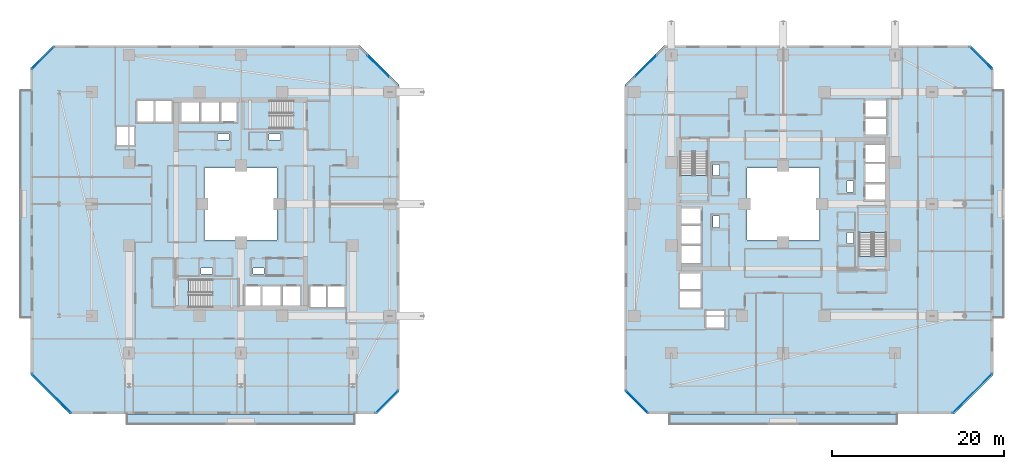
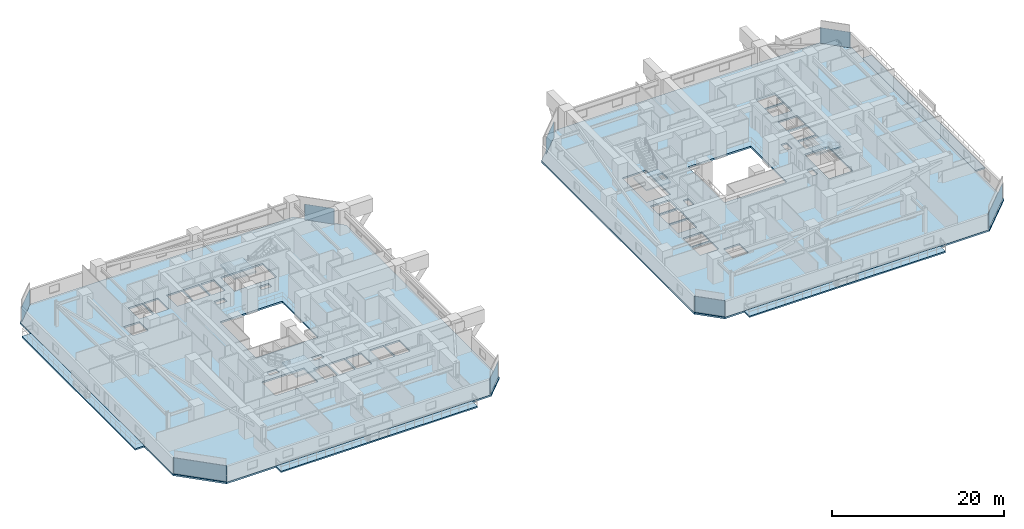
# One storey, part 18 of 36: 10 slabs, 8 plates, 12 elements without a shape of their own.
"""IFC4 building model written with IfcOpenShell, lengths in metres."""

from ifc_helpers import new_model, si_unit, direction, frame, origin, origin_2d, place, context, subcontext, project, spatial, polyline, rectangle, outline, extrude, material, layer, layer_set, type_object, element, aggregate, save


model = new_model("IFC4")

# Units and contexts
model_context = context("Model", 3, precision=1e-05, world=origin(), true_north=direction((0.0, 1.0)))
body_context = subcontext(model_context, "Body", "Model", "MODEL_VIEW")
ifc_project = project(units=[si_unit("LENGTHUNIT", "METRE"), si_unit("AREAUNIT", "SQUARE_METRE"), si_unit("VOLUMEUNIT", "CUBIC_METRE"), si_unit("PLANEANGLEUNIT", "RADIAN"), si_unit("MASSUNIT", "GRAM", prefix="KILO")], contexts=[model_context])

# Site, building, storey
site_placement = place(None, origin())
site = spatial("IfcSite", under=ifc_project, at=site_placement, CompositionType="ELEMENT")
building_placement = place(site_placement, origin())
building = spatial("IfcBuilding", under=site, at=building_placement, Name="Thornwick Lancets Civic Towers", CompositionType="ELEMENT")
storey_placement = place(building_placement, frame((0.0, 0.0, 45.89990234375)))
storey = spatial("IfcBuildingStorey", under=building, at=storey_placement, Name="L11", CompositionType="ELEMENT", Elevation=45.89990234375)

# Curtain wall, plate
ifc_material_1 = material(Name="Low-zone chamfered-corner unitised glass curtain wall", Category="glass")
curtain_wall_type = type_object("IfcCurtainWallType", Name="CW_SYS_03", PredefinedType="NOTDEFINED", material=ifc_material_1)
curtain_wall_1_placement = place(storey_placement, origin())
curtain_wall_1 = element("IfcCurtainWall", 1, at=curtain_wall_1_placement, inside=storey, type_object=curtain_wall_type, Name="L11 Curtain Wall CW-L11-A-E1", PredefinedType="NOTDEFINED")
ifc_material_2 = material(Name="Low-e double glazing clear glass", Category="glass")
ifc_layer_1 = layer(ifc_material_2, 0.035888671875, Name="Low-e double glazing clear glass")
ifc_layer_set_1 = layer_set([ifc_layer_1], Name="Low-e double glazing clear glass")
plate_type = type_object("IfcPlateType", Name="CW_PNL_GLASS", PredefinedType="CURTAIN_PANEL", material=ifc_layer_set_1)
plate_1_placement = place(storey_placement, frame((42.472900390625, 4.027099609375, 0.0), z_axis=(0.0, 0.0, 1.0), x_axis=(0.707106781187, 0.707106781187, 0.0)))
plate_1 = element("IfcPlate", 2, at=plate_1_placement, type_object=plate_type, Name="CW-L11-A-E1 Panel 0", PredefinedType="CURTAIN_PANEL", context=body_context, shape_type="SweptSolid", body=[
    extrude(rectangle(XDim=3.64990234375, YDim=0.035888671875, at=origin_2d()), origin(), (0.0, 0.0, 1.0), 2.219970703125),
])
aggregate(curtain_wall_1, [plate_1])

curtain_wall_2_placement = place(storey_placement, origin())
curtain_wall_2 = element("IfcCurtainWall", 3, at=curtain_wall_2_placement, inside=storey, type_object=curtain_wall_type, Name="L11 Curtain Wall CW-L11-A-E3", PredefinedType="NOTDEFINED")
plate_2_placement = place(storey_placement, frame((41.49169921875, 42.99169921875, 0.0), z_axis=(0.0, 0.0, 1.0), x_axis=(-0.707106781187, 0.707106781187, 0.0)))
plate_2 = element("IfcPlate", 4, at=plate_2_placement, type_object=plate_type, Name="CW-L11-A-E3 Panel 0", PredefinedType="CURTAIN_PANEL", context=body_context, shape_type="SweptSolid", body=[
    extrude(rectangle(XDim=3.5771484375, YDim=0.035888671875, at=origin_2d()), origin(), (0.0, 0.0, 1.0), 2.219970703125),
])
aggregate(curtain_wall_2, [plate_2])

curtain_wall_3_placement = place(storey_placement, origin())
curtain_wall_3 = element("IfcCurtainWall", 5, at=curtain_wall_3_placement, inside=storey, type_object=curtain_wall_type, Name="L11 Curtain Wall CW-L11-A-E5", PredefinedType="NOTDEFINED")
plate_3_placement = place(storey_placement, frame((2.527099609375, 43.972900390625, 0.0), z_axis=(0.0, 0.0, 1.0), x_axis=(-0.707106781187, -0.707106781187, 0.0)))
plate_3 = element("IfcPlate", 6, at=plate_3_placement, type_object=plate_type, Name="CW-L11-A-E5 Panel 0", PredefinedType="CURTAIN_PANEL", context=body_context, shape_type="SweptSolid", body=[
    extrude(rectangle(XDim=3.64990234375, YDim=0.035888671875, at=origin_2d()), origin(), (0.0, 0.0, 1.0), 2.219970703125),
])
aggregate(curtain_wall_3, [plate_3])

curtain_wall_4_placement = place(storey_placement, origin())
curtain_wall_4 = element("IfcCurtainWall", 7, at=curtain_wall_4_placement, inside=storey, type_object=curtain_wall_type, Name="L11 Curtain Wall CW-L11-A-E7", PredefinedType="NOTDEFINED")
plate_4_placement = place(storey_placement, frame((3.50830078125, 5.00830078125, 0.0), z_axis=(0.0, 0.0, 1.0), x_axis=(0.707106781187, -0.707106781187, 0.0)))
plate_4 = element("IfcPlate", 8, at=plate_4_placement, type_object=plate_type, Name="CW-L11-A-E7 Panel 0", PredefinedType="CURTAIN_PANEL", context=body_context, shape_type="SweptSolid", body=[
    extrude(rectangle(XDim=6.40771484375, YDim=0.035888671875, at=origin_2d()), origin(), (0.0, 0.0, 1.0), 2.219970703125),
])
aggregate(curtain_wall_4, [plate_4])

curtain_wall_5_placement = place(storey_placement, origin())
curtain_wall_5 = element("IfcCurtainWall", 9, at=curtain_wall_5_placement, inside=storey, type_object=curtain_wall_type, Name="L11 Curtain Wall CW-L11-B-E1", PredefinedType="NOTDEFINED")
plate_5_placement = place(storey_placement, frame((110.49169921875, 5.00830078125, 0.0), z_axis=(0.0, 0.0, 1.0), x_axis=(0.707106781187, 0.707106781187, 0.0)))
plate_5 = element("IfcPlate", 10, at=plate_5_placement, type_object=plate_type, Name="CW-L11-B-E1 Panel 0", PredefinedType="CURTAIN_PANEL", context=body_context, shape_type="SweptSolid", body=[
    extrude(rectangle(XDim=6.40771484375, YDim=0.035888671875, at=origin_2d()), origin(), (0.0, 0.0, 1.0), 2.219970703125),
])
aggregate(curtain_wall_5, [plate_5])

curtain_wall_6_placement = place(storey_placement, origin())
curtain_wall_6 = element("IfcCurtainWall", 11, at=curtain_wall_6_placement, inside=storey, type_object=curtain_wall_type, Name="L11 Curtain Wall CW-L11-B-E3", PredefinedType="NOTDEFINED")
plate_6_placement = place(storey_placement, frame((111.472900390625, 43.972900390625, 0.0), z_axis=(0.0, 0.0, 1.0), x_axis=(-0.707106781187, 0.707106781187, 0.0)))
plate_6 = element("IfcPlate", 12, at=plate_6_placement, type_object=plate_type, Name="CW-L11-B-E3 Panel 0", PredefinedType="CURTAIN_PANEL", context=body_context, shape_type="SweptSolid", body=[
    extrude(rectangle(XDim=3.64990234375, YDim=0.035888671875, at=origin_2d()), origin(), (0.0, 0.0, 1.0), 2.219970703125),
])
aggregate(curtain_wall_6, [plate_6])

curtain_wall_7_placement = place(storey_placement, origin())
curtain_wall_7 = element("IfcCurtainWall", 13, at=curtain_wall_7_placement, inside=storey, type_object=curtain_wall_type, Name="L11 Curtain Wall CW-L11-B-E5", PredefinedType="NOTDEFINED")
plate_7_placement = place(storey_placement, frame((72.50830078125, 42.99169921875, 0.0), z_axis=(0.0, 0.0, 1.0), x_axis=(-0.707106781187, -0.707106781187, 0.0)))
plate_7 = element("IfcPlate", 14, at=plate_7_placement, type_object=plate_type, Name="CW-L11-B-E5 Panel 0", PredefinedType="CURTAIN_PANEL", context=body_context, shape_type="SweptSolid", body=[
    extrude(rectangle(XDim=3.5771484375, YDim=0.035888671875, at=origin_2d()), origin(), (0.0, 0.0, 1.0), 2.219970703125),
])
aggregate(curtain_wall_7, [plate_7])

curtain_wall_8_placement = place(storey_placement, origin())
curtain_wall_8 = element("IfcCurtainWall", 15, at=curtain_wall_8_placement, inside=storey, type_object=curtain_wall_type, Name="L11 Curtain Wall CW-L11-B-E7", PredefinedType="NOTDEFINED")
plate_8_placement = place(storey_placement, frame((71.527099609375, 4.027099609375, 0.0), z_axis=(0.0, 0.0, 1.0), x_axis=(0.707106781187, -0.707106781187, 0.0)))
plate_8 = element("IfcPlate", 16, at=plate_8_placement, type_object=plate_type, Name="CW-L11-B-E7 Panel 0", PredefinedType="CURTAIN_PANEL", context=body_context, shape_type="SweptSolid", body=[
    extrude(rectangle(XDim=3.64990234375, YDim=0.035888671875, at=origin_2d()), origin(), (0.0, 0.0, 1.0), 2.219970703125),
])
aggregate(curtain_wall_8, [plate_8])

# Slabs
ifc_material_3 = material(Name="Post-tensioned concrete C40/50", Category="concrete")
ifc_layer_2 = layer(ifc_material_3, 0.199951171875, Name="Post-tensioned concrete C40/50")
ifc_layer_set_2 = layer_set([ifc_layer_2], Name="Post-tensioned concrete C40/50")
slab_type_1 = type_object("IfcSlabType", Name="SLAB_BALCONY_200", PredefinedType="FLOOR", material=ifc_layer_set_2)
slab_1_placement = place(storey_placement, frame((0.0, 0.0, -0.199951171875)))
element("IfcSlab", 17, at=slab_1_placement, inside=storey, type_object=slab_type_1, Name="L11 Tower A Planted Balcony Slab W", PredefinedType="FLOOR", context=body_context, shape_type="SweptSolid", body=[
    extrude(outline(polyline([(-0.14990234375, 13.800048828125), (1.10009765625, 13.800048828125), (1.10009765625, 40.199951171875), (-0.14990234375, 40.199951171875), (-0.14990234375, 13.800048828125)])), origin(), (0.0, 0.0, 1.0), 0.199951171875),
])
slab_2_placement = place(storey_placement, frame((0.0, 0.0, -0.199951171875)))
element("IfcSlab", 18, at=slab_2_placement, inside=storey, type_object=slab_type_1, Name="L11 Tower A Planted Balcony Slab S", PredefinedType="FLOOR", context=body_context, shape_type="SweptSolid", body=[
    extrude(outline(polyline([(12.300048828125, 1.35009765625), (38.699951171875, 1.35009765625), (38.699951171875, 2.60009765625), (12.300048828125, 2.60009765625), (12.300048828125, 1.35009765625)])), origin(), (0.0, 0.0, 1.0), 0.199951171875),
])
slab_3_placement = place(storey_placement, frame((0.0, 0.0, -0.199951171875)))
element("IfcSlab", 19, at=slab_3_placement, inside=storey, type_object=slab_type_1, Name="L11 Tower B Planted Balcony Slab E", PredefinedType="FLOOR", context=body_context, shape_type="SweptSolid", body=[
    extrude(outline(polyline([(112.89990234375, 13.800048828125), (114.14990234375, 13.800048828125), (114.14990234375, 40.199951171875), (112.89990234375, 40.199951171875), (112.89990234375, 13.800048828125)])), origin(), (0.0, 0.0, 1.0), 0.199951171875),
])
slab_4_placement = place(storey_placement, frame((0.0, 0.0, -0.199951171875)))
element("IfcSlab", 20, at=slab_4_placement, inside=storey, type_object=slab_type_1, Name="L11 Tower B Planted Balcony Slab S", PredefinedType="FLOOR", context=body_context, shape_type="SweptSolid", body=[
    extrude(outline(polyline([(75.300048828125, 1.35009765625), (101.699951171875, 1.35009765625), (101.699951171875, 2.60009765625), (75.300048828125, 2.60009765625), (75.300048828125, 1.35009765625)])), origin(), (0.0, 0.0, 1.0), 0.199951171875),
])

# Stair, slab
ifc_material_4 = material(Name="Concrete C40/50", Category="concrete")
stair_type = type_object("IfcStairType", Name="STAIR_DL_3600", PredefinedType="HALF_TURN_STAIR", material=ifc_material_4)
stair_1_placement = place(storey_placement, origin())
stair_1 = element("IfcStair", 21, at=stair_1_placement, inside=storey, type_object=stair_type, Name="L11 Tower A South Exit Stair ST-A1", PredefinedType="HALF_TURN_STAIR")
ifc_layer_3 = layer(ifc_material_4, 0.25, Name="Concrete C40/50")
ifc_layer_set_3 = layer_set([ifc_layer_3], Name="Concrete C40/50")
slab_type_2 = type_object("IfcSlabType", Name="SLAB_LANDING_200", PredefinedType="LANDING", material=ifc_layer_set_3)
slab_5_placement = place(storey_placement, frame((0.0, 0.0, 1.60302734375)))
slab_5 = element("IfcSlab", 22, at=slab_5_placement, type_object=slab_type_2, Name="ST-A1 landing 1", PredefinedType="LANDING", context=body_context, shape_type="SweptSolid", body=[
    extrude(outline(polyline([(22.169921875, 14.93994140625), (25.14990234375, 14.93994140625), (25.14990234375, 18.260009765625), (22.169921875, 18.260009765625), (22.169921875, 14.93994140625)])), origin(), (0.0, 0.0, 1.0), 0.199951171875),
])
aggregate(stair_1, [slab_5])

stair_2_placement = place(storey_placement, origin())
stair_2 = element("IfcStair", 23, at=stair_2_placement, inside=storey, type_object=stair_type, Name="L11 Tower A North Exit Stair ST-A2", PredefinedType="HALF_TURN_STAIR")
slab_6_placement = place(storey_placement, frame((0.0, 0.0, 1.60302734375)))
slab_6 = element("IfcSlab", 24, at=slab_6_placement, type_object=slab_type_2, Name="ST-A2 landing 1", PredefinedType="LANDING", context=body_context, shape_type="SweptSolid", body=[
    extrude(outline(polyline([(28.830078125, 39.06005859375), (25.85009765625, 39.06005859375), (25.85009765625, 35.739990234375), (28.830078125, 35.739990234375), (28.830078125, 39.06005859375)])), origin(), (0.0, 0.0, 1.0), 0.199951171875),
])
aggregate(stair_2, [slab_6])

stair_3_placement = place(storey_placement, origin())
stair_3 = element("IfcStair", 25, at=stair_3_placement, inside=storey, type_object=stair_type, Name="L11 Tower B East Exit Stair ST-B1", PredefinedType="HALF_TURN_STAIR")
slab_7_placement = place(storey_placement, frame((0.0, 0.0, 1.60302734375)))
slab_7 = element("IfcSlab", 26, at=slab_7_placement, type_object=slab_type_2, Name="ST-B1 landing 1", PredefinedType="LANDING", context=body_context, shape_type="SweptSolid", body=[
    extrude(outline(polyline([(100.56005859375, 23.669921875), (100.56005859375, 26.64990234375), (97.239990234375, 26.64990234375), (97.239990234375, 23.669921875), (100.56005859375, 23.669921875)])), origin(), (0.0, 0.0, 1.0), 0.199951171875),
])
aggregate(stair_3, [slab_7])

stair_4_placement = place(storey_placement, origin())
stair_4 = element("IfcStair", 27, at=stair_4_placement, inside=storey, type_object=stair_type, Name="L11 Tower B West Exit Stair ST-B2", PredefinedType="HALF_TURN_STAIR")
slab_8_placement = place(storey_placement, frame((0.0, 0.0, 1.60302734375)))
slab_8 = element("IfcSlab", 28, at=slab_8_placement, type_object=slab_type_2, Name="ST-B2 landing 1", PredefinedType="LANDING", context=body_context, shape_type="SweptSolid", body=[
    extrude(outline(polyline([(76.43994140625, 30.330078125), (76.43994140625, 27.35009765625), (79.760009765625, 27.35009765625), (79.760009765625, 30.330078125), (76.43994140625, 30.330078125)])), origin(), (0.0, 0.0, 1.0), 0.199951171875),
])
aggregate(stair_4, [slab_8])

# Slabs
ifc_layer_4 = layer(ifc_material_3, 0.239990234375, Name="Post-tensioned concrete C40/50")
ifc_layer_set_4 = layer_set([ifc_layer_4], Name="Post-tensioned concrete C40/50")
slab_type_3 = type_object("IfcSlabType", Name="SLAB_PT_240", PredefinedType="FLOOR", material=ifc_layer_set_4)
slab_9_placement = place(storey_placement, frame((0.0, 0.0, -0.239990234375)))
element("IfcSlab", 29, at=slab_9_placement, inside=storey, type_object=slab_type_3, Name="L11 Tower A Floor Slab", PredefinedType="FLOOR", context=body_context, shape_type="SweptSolid", body=[
    extrude(outline(polyline([(5.6640625, 2.60009765625), (41.300048828125, 2.60009765625), (43.89990234375, 5.199951171875), (43.89990234375, 40.8359375), (39.3359375, 45.39990234375), (3.699951171875, 45.39990234375), (1.10009765625, 42.800048828125), (1.10009765625, 7.1640625), (5.6640625, 2.60009765625)]), holes=[polyline([(21.300048828125, 22.800048828125), (29.699951171875, 22.800048828125), (29.699951171875, 31.199951171875), (21.300048828125, 31.199951171875), (21.300048828125, 22.800048828125)]), polyline([(19.429931640625, 15.0), (25.10009765625, 15.0), (25.10009765625, 18.199951171875), (19.429931640625, 18.199951171875), (19.429931640625, 15.0)]), polyline([(31.570068359375, 39.0), (25.89990234375, 39.0), (25.89990234375, 35.800048828125), (31.570068359375, 35.800048828125), (31.570068359375, 39.0)]), polyline([(26.0, 15.0), (27.800048828125, 15.0), (27.800048828125, 17.550048828125), (26.0, 17.550048828125), (26.0, 15.0)]), polyline([(28.0, 15.0), (30.14990234375, 15.0), (30.14990234375, 17.550048828125), (28.0, 17.550048828125), (28.0, 15.0)]), polyline([(30.35009765625, 15.0), (32.39990234375, 15.0), (32.39990234375, 17.550048828125), (30.35009765625, 17.550048828125), (30.35009765625, 15.0)]), polyline([(33.550048828125, 15.0), (35.449951171875, 15.0), (35.449951171875, 17.550048828125), (33.550048828125, 17.550048828125), (33.550048828125, 15.0)]), polyline([(35.60009765625, 15.0), (37.550048828125, 15.0), (37.550048828125, 17.550048828125), (35.60009765625, 17.550048828125), (35.60009765625, 15.0)]), polyline([(23.199951171875, 36.449951171875), (25.0, 36.449951171875), (25.0, 39.0), (23.199951171875, 39.0), (23.199951171875, 36.449951171875)]), polyline([(20.85009765625, 36.449951171875), (23.0, 36.449951171875), (23.0, 39.0), (20.85009765625, 39.0), (20.85009765625, 36.449951171875)]), polyline([(18.60009765625, 36.449951171875), (20.699951171875, 36.449951171875), (20.699951171875, 39.0), (18.60009765625, 39.0), (18.60009765625, 36.449951171875)]), polyline([(15.550048828125, 36.449951171875), (17.449951171875, 36.449951171875), (17.449951171875, 39.0), (15.550048828125, 39.0), (15.550048828125, 36.449951171875)]), polyline([(13.449951171875, 36.449951171875), (15.39990234375, 36.449951171875), (15.39990234375, 39.0), (13.449951171875, 39.0), (13.449951171875, 36.449951171875)]), polyline([(11.10009765625, 33.85009765625), (13.199951171875, 33.85009765625), (13.199951171875, 35.949951171875), (11.10009765625, 35.949951171875), (11.10009765625, 33.85009765625)]), polyline([(26.89990234375, 18.85009765625), (28.199951171875, 18.85009765625), (28.199951171875, 19.580078125), (26.89990234375, 19.580078125), (26.89990234375, 18.85009765625)]), polyline([(20.89990234375, 18.85009765625), (22.199951171875, 18.85009765625), (22.199951171875, 19.580078125), (20.89990234375, 19.580078125), (20.89990234375, 18.85009765625)]), polyline([(22.800048828125, 34.419921875), (24.10009765625, 34.419921875), (24.10009765625, 35.14990234375), (22.800048828125, 35.14990234375), (22.800048828125, 34.419921875)]), polyline([(28.800048828125, 34.419921875), (30.10009765625, 34.419921875), (30.10009765625, 35.14990234375), (28.800048828125, 35.14990234375), (28.800048828125, 34.419921875)])]), origin(), (0.0, 0.0, 1.0), 0.239990234375),
])
slab_10_placement = place(storey_placement, frame((0.0, 0.0, -0.239990234375)))
element("IfcSlab", 30, at=slab_10_placement, inside=storey, type_object=slab_type_3, Name="L11 Tower B Floor Slab", PredefinedType="FLOOR", context=body_context, shape_type="SweptSolid", body=[
    extrude(outline(polyline([(72.699951171875, 2.60009765625), (108.3359375, 2.60009765625), (112.89990234375, 7.1640625), (112.89990234375, 42.800048828125), (110.300048828125, 45.39990234375), (74.6640625, 45.39990234375), (70.10009765625, 40.8359375), (70.10009765625, 5.199951171875), (72.699951171875, 2.60009765625)]), holes=[polyline([(84.300048828125, 22.800048828125), (92.699951171875, 22.800048828125), (92.699951171875, 31.199951171875), (84.300048828125, 31.199951171875), (84.300048828125, 22.800048828125)]), polyline([(100.5, 20.929931640625), (100.5, 26.60009765625), (97.300048828125, 26.60009765625), (97.300048828125, 20.929931640625), (100.5, 20.929931640625)]), polyline([(76.5, 33.070068359375), (76.5, 27.39990234375), (79.699951171875, 27.39990234375), (79.699951171875, 33.070068359375), (76.5, 33.070068359375)]), polyline([(97.949951171875, 27.5), (100.5, 27.5), (100.5, 29.300048828125), (97.949951171875, 29.300048828125), (97.949951171875, 27.5)]), polyline([(97.949951171875, 29.5), (100.5, 29.5), (100.5, 31.64990234375), (97.949951171875, 31.64990234375), (97.949951171875, 29.5)]), polyline([(97.949951171875, 31.85009765625), (100.5, 31.85009765625), (100.5, 33.89990234375), (97.949951171875, 33.89990234375), (97.949951171875, 31.85009765625)]), polyline([(97.949951171875, 35.050048828125), (100.5, 35.050048828125), (100.5, 36.949951171875), (97.949951171875, 36.949951171875), (97.949951171875, 35.050048828125)]), polyline([(97.949951171875, 37.10009765625), (100.5, 37.10009765625), (100.5, 39.050048828125), (97.949951171875, 39.050048828125), (97.949951171875, 37.10009765625)]), polyline([(76.5, 24.699951171875), (79.050048828125, 24.699951171875), (79.050048828125, 26.5), (76.5, 26.5), (76.5, 24.699951171875)]), polyline([(76.5, 22.35009765625), (79.050048828125, 22.35009765625), (79.050048828125, 24.5), (76.5, 24.5), (76.5, 22.35009765625)]), polyline([(76.5, 20.10009765625), (79.050048828125, 20.10009765625), (79.050048828125, 22.199951171875), (76.5, 22.199951171875), (76.5, 20.10009765625)]), polyline([(76.5, 17.050048828125), (79.050048828125, 17.050048828125), (79.050048828125, 18.949951171875), (76.5, 18.949951171875), (76.5, 17.050048828125)]), polyline([(76.5, 14.949951171875), (79.050048828125, 14.949951171875), (79.050048828125, 16.89990234375), (76.5, 16.89990234375), (76.5, 14.949951171875)]), polyline([(79.550048828125, 12.60009765625), (81.64990234375, 12.60009765625), (81.64990234375, 14.699951171875), (79.550048828125, 14.699951171875), (79.550048828125, 12.60009765625)]), polyline([(95.919921875, 28.39990234375), (96.64990234375, 28.39990234375), (96.64990234375, 29.699951171875), (95.919921875, 29.699951171875), (95.919921875, 28.39990234375)]), polyline([(95.919921875, 22.39990234375), (96.64990234375, 22.39990234375), (96.64990234375, 23.699951171875), (95.919921875, 23.699951171875), (95.919921875, 22.39990234375)]), polyline([(80.35009765625, 24.300048828125), (81.080078125, 24.300048828125), (81.080078125, 25.60009765625), (80.35009765625, 25.60009765625), (80.35009765625, 24.300048828125)]), polyline([(80.35009765625, 30.300048828125), (81.080078125, 30.300048828125), (81.080078125, 31.60009765625), (80.35009765625, 31.60009765625), (80.35009765625, 30.300048828125)])]), origin(), (0.0, 0.0, 1.0), 0.239990234375),
])

save(model, "model.ifc")
